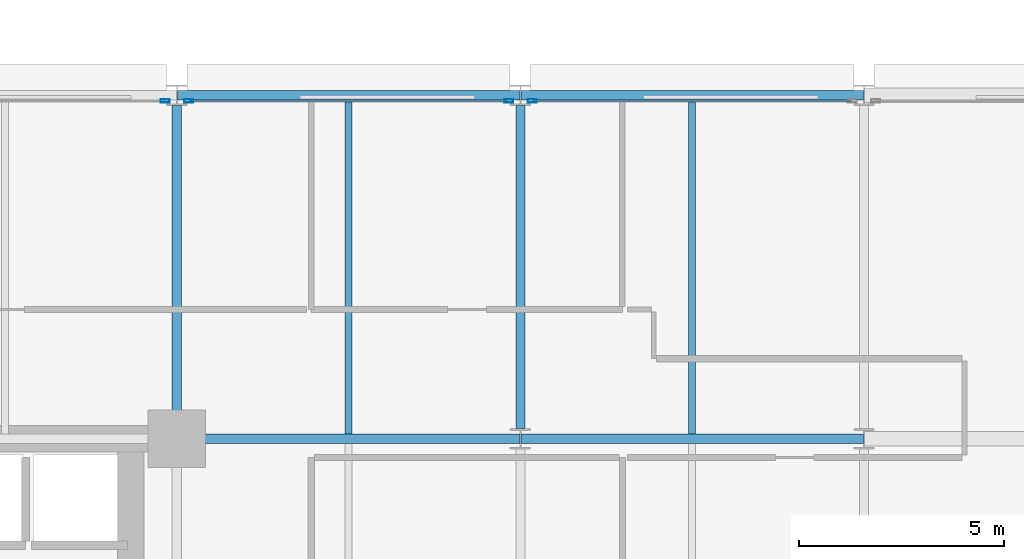
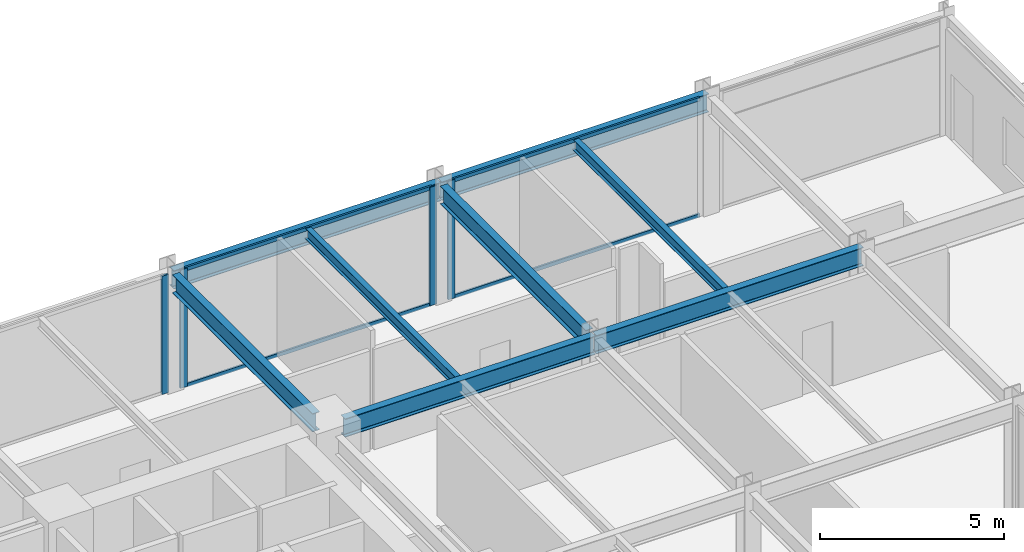
# One storey, part 14 of 27: 8 beams, 8 members, 3 elements without a shape of their own.
"""IFC4 building model written with IfcOpenShell, lengths in metres."""

from ifc_helpers import new_model, si_unit, direction, frame, origin, origin_2d, place, context, subcontext, project, spatial, hollow_rectangle, i_section, extrude, material, layer, layer_set, material_profile, profile_set, type_object, element, aggregate, save


model = new_model("IFC4")

# Units and contexts
model_context = context("Model", 3, precision=1e-05, world=origin(), true_north=direction((0.0, 1.0)))
body_context = subcontext(model_context, "Body", "Model", "MODEL_VIEW")
ifc_project = project(units=[si_unit("LENGTHUNIT", "METRE"), si_unit("AREAUNIT", "SQUARE_METRE"), si_unit("VOLUMEUNIT", "CUBIC_METRE"), si_unit("PLANEANGLEUNIT", "RADIAN"), si_unit("MASSUNIT", "GRAM", prefix="KILO")], contexts=[model_context])

# Site, building, storey
site_placement = place(None, origin())
site = spatial("IfcSite", under=ifc_project, at=site_placement, CompositionType="ELEMENT")
building_placement = place(site_placement, origin())
building = spatial("IfcBuilding", under=site, at=building_placement, Name="Nerrivon Quay Data Exchange", CompositionType="ELEMENT")
storey_placement = place(building_placement, frame((0.0, 0.0, 66.800048828125)))
storey = spatial("IfcBuildingStorey", under=building, at=storey_placement, Name="L15", CompositionType="ELEMENT", Elevation=66.800048828125)

# Beams
ifc_material_1 = material(Name="Steel Grade 350", Category="steel")
ifc_material_profile_1 = material_profile(ifc_material_1, i_section(OverallWidth=0.22900390625, OverallDepth=0.612060546875, WebThickness=0.011962890625, FlangeThickness=0.01953125, FilletRadius=0.013916015625, at=origin_2d()), Name="610UB125")
ifc_profile_set_1 = profile_set([ifc_material_profile_1], Name="Steel Grade 350")
beam_type_1 = type_object("IfcBeamType", Name="BM-G1-610UB125", PredefinedType="BEAM", material=ifc_profile_set_1)
beam_1_placement = place(storey_placement, frame((34.139892578125, 16.800048828125, 3.618896484375), z_axis=(1.0, 0.0, 0.0), x_axis=(0.0, 1.0, 0.0)))
element("IfcBeam", 1, at=beam_1_placement, inside=storey, type_object=beam_type_1, Name="L15 EW Girder Y=16.8 (33.6..42.0)", PredefinedType="BEAM", context=body_context, shape_type="SweptSolid", body=[
    extrude(i_section(OverallWidth=0.22900390625, OverallDepth=0.612060546875, WebThickness=0.011962890625, FlangeThickness=0.01953125, FilletRadius=0.013916015625, at=origin_2d()), origin(), (0.0, 0.0, 1.0), 7.84619140625),
])
for number, where, z_axis, x_axis, name in (
    (2, (42.013916015625, 16.800048828125, 3.618896484375), (1.0, 0.0, 0.0), (0.0, 1.0, 0.0), "L15 EW Girder Y=16.8 (42.0..50.4)"),
    (3, (33.614013671875, 25.199951171875, 3.618896484375), (1.0, 0.0, 0.0), (0.0, 1.0, 0.0), "L15 EW Girder Y=25.2 (33.6..42.0)"),
    (4, (42.013916015625, 25.199951171875, 3.618896484375), (1.0, 0.0, 0.0), (0.0, 1.0, 0.0), "L15 EW Girder Y=25.2 (42.0..50.4)"),
):
    element("IfcBeam", number, at=place(storey_placement, frame(where, z_axis=z_axis, x_axis=x_axis)), inside=storey, type_object=beam_type_1, Name=name, PredefinedType="BEAM", context=body_context, shape_type="SweptSolid", body=[
        extrude(i_section(OverallWidth=0.22900390625, OverallDepth=0.612060546875, WebThickness=0.011962890625, FlangeThickness=0.01953125, FilletRadius=0.013916015625, at=origin_2d()), origin(), (0.0, 0.0, 1.0), 8.3720703125),
    ])
ifc_material_profile_2 = material_profile(ifc_material_1, i_section(OverallWidth=0.22802734375, OverallDepth=0.60205078125, WebThickness=0.010498046875, FlangeThickness=0.014892578125, FilletRadius=0.013916015625, at=origin_2d()), Name="610UB101")
ifc_profile_set_2 = profile_set([ifc_material_profile_2], Name="Steel Grade 350")
beam_type_2 = type_object("IfcBeamType", Name="BM-G2-610UB101", PredefinedType="BEAM", material=ifc_profile_set_2)
beam_2_placement = place(storey_placement, frame((33.60009765625, 17.340087890625, 3.6240234375), z_axis=(0.0, 1.0, 0.0), x_axis=(-1.0, 0.0, 0.0)))
element("IfcBeam", 5, at=beam_2_placement, inside=storey, type_object=beam_type_2, Name="L15 NS Girder X=33.6 (16.8..25.2)", PredefinedType="BEAM", context=body_context, shape_type="SweptSolid", body=[
    extrude(i_section(OverallWidth=0.22802734375, OverallDepth=0.60205078125, WebThickness=0.010498046875, FlangeThickness=0.014892578125, FilletRadius=0.013916015625, at=origin_2d()), origin(), (0.0, 0.0, 1.0), 7.60986328125),
])
beam_3_placement = place(storey_placement, frame((42.0, 17.050048828125, 3.6240234375), z_axis=(0.0, 1.0, 0.0), x_axis=(-1.0, 0.0, 0.0)))
element("IfcBeam", 6, at=beam_3_placement, inside=storey, type_object=beam_type_2, Name="L15 NS Girder X=42.0 (16.8..25.2)", PredefinedType="BEAM", context=body_context, shape_type="SweptSolid", body=[
    extrude(i_section(OverallWidth=0.22802734375, OverallDepth=0.60205078125, WebThickness=0.010498046875, FlangeThickness=0.014892578125, FilletRadius=0.013916015625, at=origin_2d()), origin(), (0.0, 0.0, 1.0), 7.89990234375),
])
ifc_material_profile_3 = material_profile(ifc_material_1, i_section(OverallWidth=0.172119140625, OverallDepth=0.35888671875, WebThickness=0.008056640625, FlangeThickness=0.012939453125, FilletRadius=0.011474609375, at=origin_2d()), Name="360UB56.7")
ifc_profile_set_3 = profile_set([ifc_material_profile_3], Name="Steel Grade 350")
beam_type_3 = type_object("IfcBeamType", Name="BM-J3-360UB57", PredefinedType="JOIST", material=ifc_profile_set_3)
for number, where, z_axis, x_axis, name in (
    (7, (37.800048828125, 16.91455078125, 3.745361328125), (0.0, 1.0, 0.0), (-1.0, 0.0, 0.0), "L15 Secondary Joist X=37.8 (16.8..25.2)"),
    (8, (46.199951171875, 16.91455078125, 3.745361328125), (0.0, 1.0, 0.0), (-1.0, 0.0, 0.0), "L15 Secondary Joist X=46.2 (16.8..25.2)"),
):
    element("IfcBeam", number, at=place(storey_placement, frame(where, z_axis=z_axis, x_axis=x_axis)), inside=storey, type_object=beam_type_3, Name=name, PredefinedType="JOIST", context=body_context, shape_type="SweptSolid", body=[
        extrude(i_section(OverallWidth=0.172119140625, OverallDepth=0.35888671875, WebThickness=0.008056640625, FlangeThickness=0.012939453125, FilletRadius=0.011474609375, at=origin_2d()), origin(), (0.0, 0.0, 1.0), 8.1708984375),
    ])

# Curtain wall, member
ifc_material_2 = material(Name="Anodised aluminium 6063-T6", Category="aluminium")
ifc_layer = layer(ifc_material_2, 0.219970703125)
ifc_layer_set = layer_set([ifc_layer], Name="Anodised aluminium 6063-T6")
curtain_wall_type = type_object("IfcCurtainWallType", Name="CW-SYS-01", PredefinedType="NOTDEFINED", material=ifc_layer_set)
curtain_wall_1_placement = place(storey_placement, origin())
curtain_wall_1 = element("IfcCurtainWall", 9, at=curtain_wall_1_placement, inside=storey, type_object=curtain_wall_type, Name="L15 Unitised Curtain Wall 32", PredefinedType="NOTDEFINED")
ifc_material_profile_4 = material_profile(ifc_material_2, hollow_rectangle(XDim=0.074951171875, YDim=0.219970703125, WallThickness=0.00390625, at=origin_2d()), Name="ALU-MULL-220x75")
ifc_profile_set_4 = profile_set([ifc_material_profile_4], Name="Anodised aluminium 6063-T6")
member_type_1 = type_object("IfcMemberType", Name="CWM-220x75", PredefinedType="MULLION", material=ifc_profile_set_4)
member_1_placement = place(storey_placement, frame((33.3125, 25.06005859375, 0.0), z_axis=(0.0, 0.0, 1.0), x_axis=(0.0, 1.0, 0.0)))
member_1 = element("IfcMember", 10, at=member_1_placement, type_object=member_type_1, Name="CW01 mullion 2", PredefinedType="MULLION", context=body_context, shape_type="SweptSolid", body=[
    extrude(hollow_rectangle(XDim=0.074951171875, YDim=0.219970703125, WallThickness=0.00390625, at=origin_2d()), origin(), (0.0, 0.0, 1.0), 3.925048828125),
])
aggregate(curtain_wall_1, [member_1])

# Curtain wall, members
curtain_wall_2_placement = place(storey_placement, origin())
curtain_wall_2 = element("IfcCurtainWall", 11, at=curtain_wall_2_placement, inside=storey, type_object=curtain_wall_type, Name="L15 Unitised Curtain Wall 33", PredefinedType="NOTDEFINED")
member_2_placement = place(storey_placement, frame((33.887451171875, 25.06005859375, 0.0), z_axis=(0.0, 0.0, 1.0), x_axis=(0.0, 1.0, 0.0)))
member_2 = element("IfcMember", 12, at=member_2_placement, type_object=member_type_1, Name="CW01 mullion 1", PredefinedType="MULLION", context=body_context, shape_type="SweptSolid", body=[
    extrude(hollow_rectangle(XDim=0.074951171875, YDim=0.219970703125, WallThickness=0.00390625, at=origin_2d()), origin(), (0.0, 0.0, 1.0), 3.925048828125),
])
member_3_placement = place(storey_placement, frame((41.71240234375, 25.06005859375, 0.0), z_axis=(0.0, 0.0, 1.0), x_axis=(0.0, 1.0, 0.0)))
member_3 = element("IfcMember", 13, at=member_3_placement, type_object=member_type_1, Name="CW01 mullion 2", PredefinedType="MULLION", context=body_context, shape_type="SweptSolid", body=[
    extrude(hollow_rectangle(XDim=0.074951171875, YDim=0.219970703125, WallThickness=0.00390625, at=origin_2d()), origin(), (0.0, 0.0, 1.0), 3.925048828125),
])

# Curtain wall, member
curtain_wall_3_placement = place(storey_placement, origin())
curtain_wall_3 = element("IfcCurtainWall", 14, at=curtain_wall_3_placement, inside=storey, type_object=curtain_wall_type, Name="L15 Unitised Curtain Wall 34", PredefinedType="NOTDEFINED")
member_4_placement = place(storey_placement, frame((42.28759765625, 25.06005859375, 0.0), z_axis=(0.0, 0.0, 1.0), x_axis=(0.0, 1.0, 0.0)))
member_4 = element("IfcMember", 15, at=member_4_placement, type_object=member_type_1, Name="CW01 mullion 1", PredefinedType="MULLION", context=body_context, shape_type="SweptSolid", body=[
    extrude(hollow_rectangle(XDim=0.074951171875, YDim=0.219970703125, WallThickness=0.00390625, at=origin_2d()), origin(), (0.0, 0.0, 1.0), 3.925048828125),
])

# Member
ifc_material_profile_5 = material_profile(ifc_material_2, hollow_rectangle(XDim=0.06005859375, YDim=0.1201171875, WallThickness=0.003173828125, at=origin_2d()), Name="ALU-TRAN-120x60")
ifc_profile_set_5 = profile_set([ifc_material_profile_5], Name="Anodised aluminium 6063-T6")
member_type_2 = type_object("IfcMemberType", Name="CWT-120x60", PredefinedType="USERDEFINED", material=ifc_profile_set_5)
member_5_placement = place(storey_placement, frame((33.925048828125, 25.06005859375, 0.032470703125), z_axis=(1.0, 0.0, 0.0), x_axis=(0.0, 1.0, 0.0)))
member_5 = element("IfcMember", 16, at=member_5_placement, type_object=member_type_2, Name="CW01 transom 1.1", ObjectType="TRANSOM", PredefinedType="USERDEFINED", context=body_context, shape_type="SweptSolid", body=[
    extrude(hollow_rectangle(XDim=0.06005859375, YDim=0.1201171875, WallThickness=0.003173828125, at=origin_2d()), origin(), (0.0, 0.0, 1.0), 7.75),
])

member_6_placement = place(storey_placement, frame((33.925048828125, 25.06005859375, 3.892333984375), z_axis=(1.0, 0.0, 0.0), x_axis=(0.0, 1.0, 0.0)))
member_6 = element("IfcMember", 17, at=member_6_placement, type_object=member_type_2, Name="CW01 transom 1.2", ObjectType="TRANSOM", PredefinedType="USERDEFINED", context=body_context, shape_type="SweptSolid", body=[
    extrude(hollow_rectangle(XDim=0.06005859375, YDim=0.1201171875, WallThickness=0.003173828125, at=origin_2d()), origin(), (0.0, 0.0, 1.0), 7.75),
])

aggregate(curtain_wall_2, [member_2, member_3, member_5, member_6])

member_7_placement = place(storey_placement, frame((42.324951171875, 25.06005859375, 0.032470703125), z_axis=(1.0, 0.0, 0.0), x_axis=(0.0, 1.0, 0.0)))
member_7 = element("IfcMember", 18, at=member_7_placement, type_object=member_type_2, Name="CW01 transom 1.1", ObjectType="TRANSOM", PredefinedType="USERDEFINED", context=body_context, shape_type="SweptSolid", body=[
    extrude(hollow_rectangle(XDim=0.06005859375, YDim=0.1201171875, WallThickness=0.003173828125, at=origin_2d()), origin(), (0.0, 0.0, 1.0), 7.75),
])

member_8_placement = place(storey_placement, frame((42.324951171875, 25.06005859375, 3.892333984375), z_axis=(1.0, 0.0, 0.0), x_axis=(0.0, 1.0, 0.0)))
member_8 = element("IfcMember", 19, at=member_8_placement, type_object=member_type_2, Name="CW01 transom 1.2", ObjectType="TRANSOM", PredefinedType="USERDEFINED", context=body_context, shape_type="SweptSolid", body=[
    extrude(hollow_rectangle(XDim=0.06005859375, YDim=0.1201171875, WallThickness=0.003173828125, at=origin_2d()), origin(), (0.0, 0.0, 1.0), 7.75),
])

aggregate(curtain_wall_3, [member_4, member_7, member_8])

save(model, "model.ifc")
